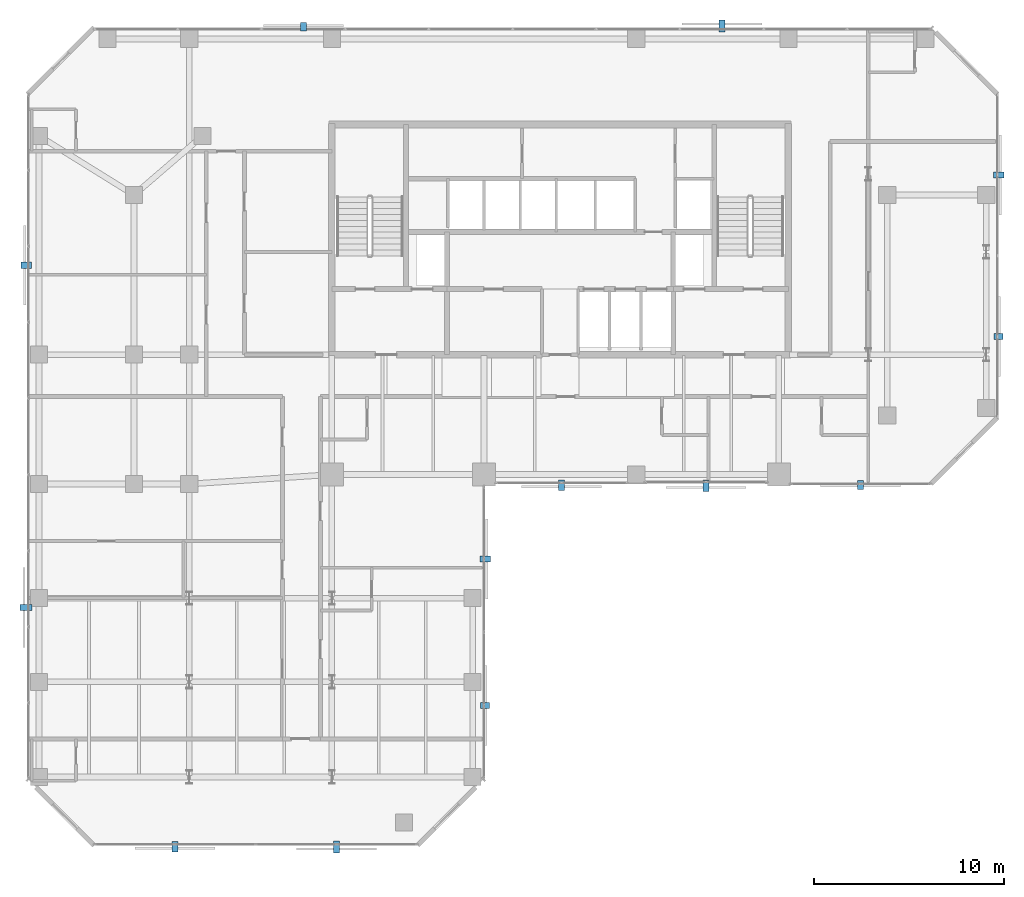
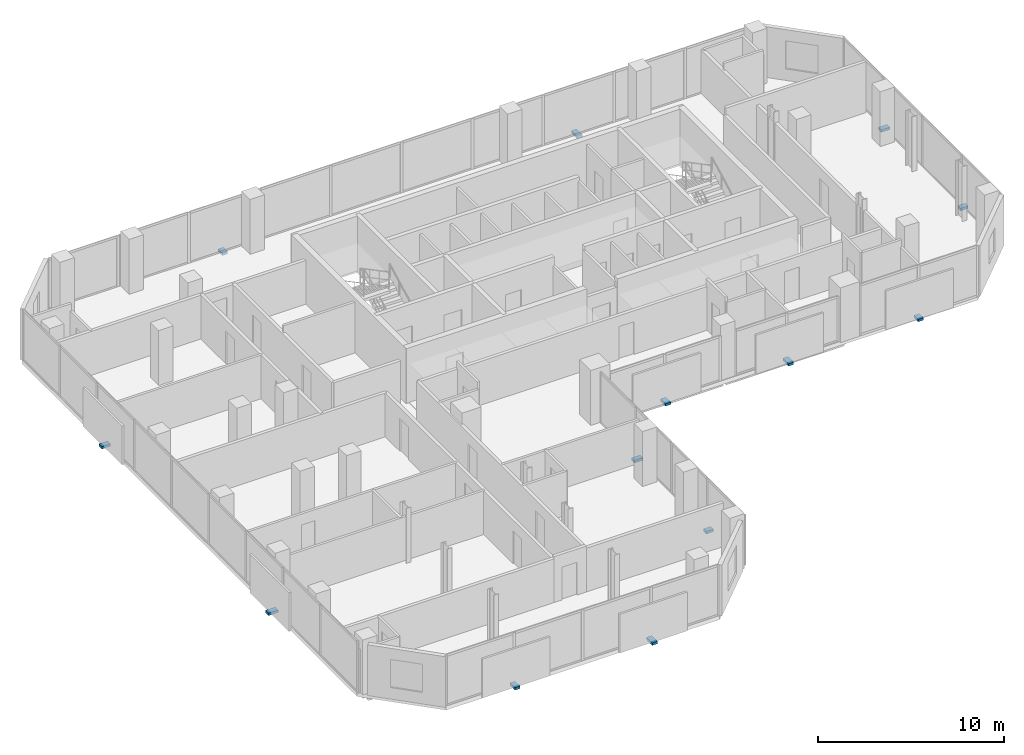
# One storey, part 31 of 33: 13 discrete accessories.
"""IFC4 building model written with IfcOpenShell, lengths in metres."""

from ifc_helpers import new_model, si_unit, direction, frame, origin, origin_2d, place, context, subcontext, project, spatial, rectangle, extrude, material, type_object, element, save


model = new_model("IFC4")

# Units and contexts
model_context = context("Model", 3, precision=1e-05, world=origin(), true_north=direction((0.0, 1.0)))
body_context = subcontext(model_context, "Body", "Model", "MODEL_VIEW")
ifc_project = project(units=[si_unit("LENGTHUNIT", "METRE"), si_unit("AREAUNIT", "SQUARE_METRE"), si_unit("VOLUMEUNIT", "CUBIC_METRE"), si_unit("PLANEANGLEUNIT", "RADIAN"), si_unit("MASSUNIT", "GRAM", prefix="KILO")], contexts=[model_context])

# Site, building, storey
site_placement = place(None, origin())
site = spatial("IfcSite", under=ifc_project, at=site_placement, CompositionType="ELEMENT")
building_placement = place(site_placement, origin())
building = spatial("IfcBuilding", under=site, at=building_placement, Name="Catumbela Crestline Tower", CompositionType="ELEMENT")
storey_placement = place(building_placement, frame((0.0, 0.0, 100.8)))
storey = spatial("IfcBuildingStorey", under=building, at=storey_placement, Name="L25", CompositionType="ELEMENT", Elevation=100.8)

# Discrete accessories
ifc_material = material(Name="Stainless steel EN 1.4401", Category="steel")
discrete_accessory_type = type_object("IfcDiscreteAccessoryType", Name="BK-SS1", PredefinedType="BRACKET", material=ifc_material)
discrete_accessory_1_placement = place(storey_placement, frame((7.75, 4.935, -0.18), z_axis=(0.0, 0.0, 1.0), x_axis=(1.0, 0.0, 0.0)))
element("IfcDiscreteAccessory", 1, at=discrete_accessory_1_placement, inside=storey, type_object=discrete_accessory_type, Name="L25 Solar Screen Stainless Bracket 250", PredefinedType="BRACKET", context=body_context, shape_type="SweptSolid", body=[
    extrude(rectangle(XDim=0.32, YDim=0.54, at=origin_2d()), origin(), (0.0, 0.0, 1.0), 0.16),
])
discrete_accessory_2_placement = place(storey_placement, frame((16.25, 4.915, -0.18), z_axis=(0.0, 0.0, 1.0), x_axis=(1.0, 0.0, 0.0)))
element("IfcDiscreteAccessory", 2, at=discrete_accessory_2_placement, inside=storey, type_object=discrete_accessory_type, Name="L25 Solar Screen Stainless Bracket 251", PredefinedType="BRACKET", context=body_context, shape_type="SweptSolid", body=[
    extrude(rectangle(XDim=0.32, YDim=0.62, at=origin_2d()), origin(), (0.0, 0.0, 1.0), 0.16),
])
discrete_accessory_3_placement = place(storey_placement, frame((24.045, 12.35, -0.18), z_axis=(0.0, 0.0, 1.0), x_axis=(0.0, 1.0, 0.0)))
element("IfcDiscreteAccessory", 3, at=discrete_accessory_3_placement, inside=storey, type_object=discrete_accessory_type, Name="L25 Solar Screen Stainless Bracket 252", PredefinedType="BRACKET", context=body_context, shape_type="SweptSolid", body=[
    extrude(rectangle(XDim=0.32, YDim=0.46, at=origin_2d()), origin(), (0.0, 0.0, 1.0), 0.16),
])
for number, where, z_axis, x_axis, name in (
    (4, (24.065, 20.05, -0.18), (0.0, 0.0, 1.0), (0.0, 1.0, 0.0), "L25 Solar Screen Stainless Bracket 253"),
    (5, (28.075, 23.935, -0.18), (0.0, 0.0, 1.0), (1.0, 0.0, 0.0), "L25 Solar Screen Stainless Bracket 254"),
):
    element("IfcDiscreteAccessory", number, at=place(storey_placement, frame(where, z_axis=z_axis, x_axis=x_axis)), inside=storey, type_object=discrete_accessory_type, Name=name, PredefinedType="BRACKET", context=body_context, shape_type="SweptSolid", body=[
        extrude(rectangle(XDim=0.32, YDim=0.54, at=origin_2d()), origin(), (0.0, 0.0, 1.0), 0.16),
    ])
discrete_accessory_4_placement = place(storey_placement, frame((35.675, 23.915, -0.18), z_axis=(0.0, 0.0, 1.0), x_axis=(1.0, 0.0, 0.0)))
element("IfcDiscreteAccessory", 6, at=discrete_accessory_4_placement, inside=storey, type_object=discrete_accessory_type, Name="L25 Solar Screen Stainless Bracket 255", PredefinedType="BRACKET", context=body_context, shape_type="SweptSolid", body=[
    extrude(rectangle(XDim=0.32, YDim=0.62, at=origin_2d()), origin(), (0.0, 0.0, 1.0), 0.16),
])
for number, where, z_axis, x_axis, name in (
    (7, (43.8, 23.955, -0.18), (0.0, 0.0, 1.0), (1.0, 0.0, 0.0), "L25 Solar Screen Stainless Bracket 256"),
    (8, (51.045, 31.75, -0.18), (0.0, 0.0, 1.0), (0.0, 1.0, 0.0), "L25 Solar Screen Stainless Bracket 257"),
):
    element("IfcDiscreteAccessory", number, at=place(storey_placement, frame(where, z_axis=z_axis, x_axis=x_axis)), inside=storey, type_object=discrete_accessory_type, Name=name, PredefinedType="BRACKET", context=body_context, shape_type="SweptSolid", body=[
        extrude(rectangle(XDim=0.32, YDim=0.46, at=origin_2d()), origin(), (0.0, 0.0, 1.0), 0.16),
    ])
discrete_accessory_5_placement = place(storey_placement, frame((51.065, 40.25, -0.18), z_axis=(0.0, 0.0, 1.0), x_axis=(0.0, 1.0, 0.0)))
element("IfcDiscreteAccessory", 9, at=discrete_accessory_5_placement, inside=storey, type_object=discrete_accessory_type, Name="L25 Solar Screen Stainless Bracket 258", PredefinedType="BRACKET", context=body_context, shape_type="SweptSolid", body=[
    extrude(rectangle(XDim=0.32, YDim=0.54, at=origin_2d()), origin(), (0.0, 0.0, 1.0), 0.16),
])
discrete_accessory_6_placement = place(storey_placement, frame((36.5, 48.085, -0.18), z_axis=(0.0, 0.0, 1.0), x_axis=(-1.0, 0.0, 0.0)))
element("IfcDiscreteAccessory", 10, at=discrete_accessory_6_placement, inside=storey, type_object=discrete_accessory_type, Name="L25 Solar Screen Stainless Bracket 259", PredefinedType="BRACKET", context=body_context, shape_type="SweptSolid", body=[
    extrude(rectangle(XDim=0.32, YDim=0.62, at=origin_2d()), origin(), (0.0, 0.0, 1.0), 0.16),
])
discrete_accessory_7_placement = place(storey_placement, frame((14.5, 48.045, -0.18), z_axis=(0.0, 0.0, 1.0), x_axis=(-1.0, 0.0, 0.0)))
element("IfcDiscreteAccessory", 11, at=discrete_accessory_7_placement, inside=storey, type_object=discrete_accessory_type, Name="L25 Solar Screen Stainless Bracket 260", PredefinedType="BRACKET", context=body_context, shape_type="SweptSolid", body=[
    extrude(rectangle(XDim=0.32, YDim=0.46, at=origin_2d()), origin(), (0.0, 0.0, 1.0), 0.16),
])
discrete_accessory_8_placement = place(storey_placement, frame((-0.065, 35.5, -0.18), z_axis=(0.0, 0.0, 1.0), x_axis=(0.0, -1.0, 0.0)))
element("IfcDiscreteAccessory", 12, at=discrete_accessory_8_placement, inside=storey, type_object=discrete_accessory_type, Name="L25 Solar Screen Stainless Bracket 261", PredefinedType="BRACKET", context=body_context, shape_type="SweptSolid", body=[
    extrude(rectangle(XDim=0.32, YDim=0.54, at=origin_2d()), origin(), (0.0, 0.0, 1.0), 0.16),
])
discrete_accessory_9_placement = place(storey_placement, frame((-0.085, 17.5, -0.18), z_axis=(0.0, 0.0, 1.0), x_axis=(0.0, -1.0, 0.0)))
element("IfcDiscreteAccessory", 13, at=discrete_accessory_9_placement, inside=storey, type_object=discrete_accessory_type, Name="L25 Solar Screen Stainless Bracket 262", PredefinedType="BRACKET", context=body_context, shape_type="SweptSolid", body=[
    extrude(rectangle(XDim=0.32, YDim=0.62, at=origin_2d()), origin(), (0.0, 0.0, 1.0), 0.16),
])

save(model, "model.ifc")
